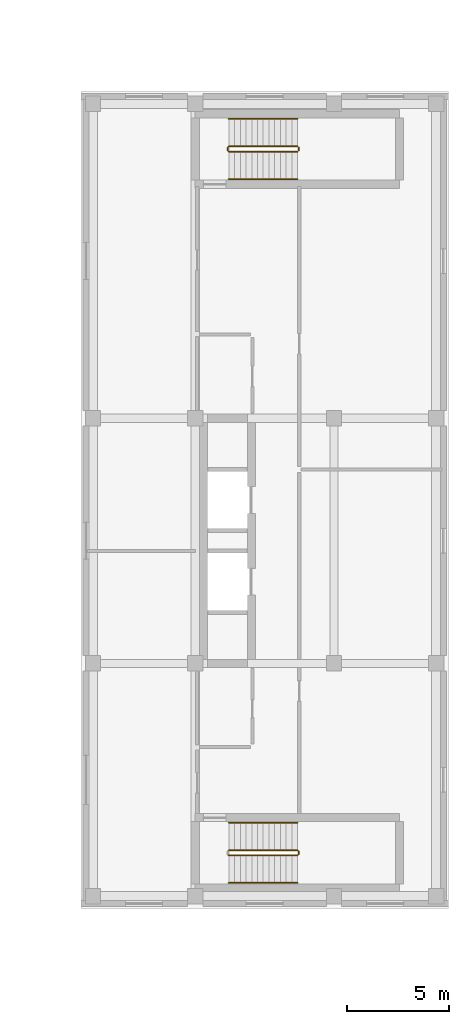
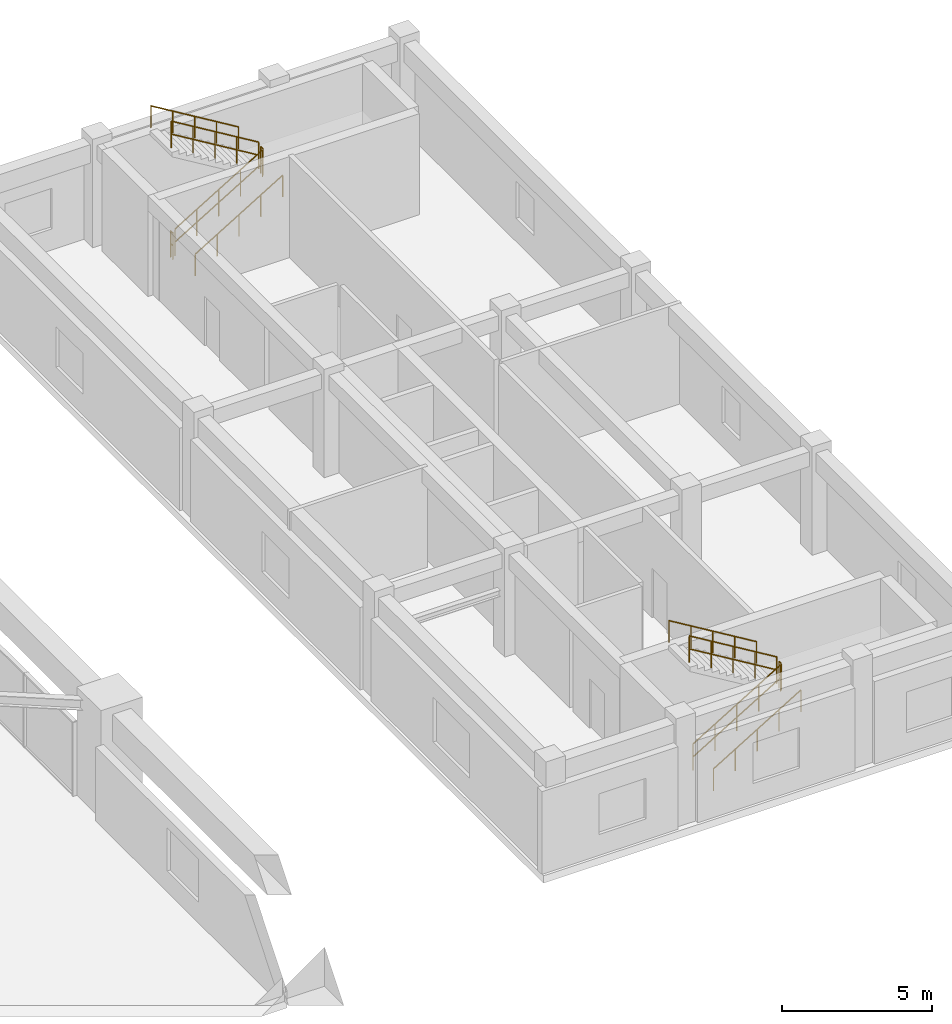
# One storey, part 22 of 22: 11 railings.
"""IFC4 building model written with IfcOpenShell, lengths in metres."""

from ifc_helpers import new_model, si_unit, direction, frame, origin, origin_2d, place, context, subcontext, project, spatial, circle, extrude, material, type_object, element, save


model = new_model("IFC4")

# Units and contexts
model_context = context("Model", 3, precision=1e-05, world=origin(), true_north=direction((0.0, 1.0)))
body_context = subcontext(model_context, "Body", "Model", "MODEL_VIEW")
ifc_project = project(units=[si_unit("LENGTHUNIT", "METRE"), si_unit("AREAUNIT", "SQUARE_METRE"), si_unit("VOLUMEUNIT", "CUBIC_METRE"), si_unit("PLANEANGLEUNIT", "RADIAN"), si_unit("MASSUNIT", "GRAM", prefix="KILO")], contexts=[model_context])

# Site, building, storey
site_placement = place(None, origin())
site = spatial("IfcSite", under=ifc_project, at=site_placement, CompositionType="ELEMENT")
building_placement = place(site_placement, origin())
building = spatial("IfcBuilding", under=site, at=building_placement, Name="Veraguas Prism Commons", CompositionType="ELEMENT")
storey_placement = place(building_placement, frame((0.0, 0.0, 5.199951171875)))
storey = spatial("IfcBuildingStorey", under=building, at=storey_placement, Name="L01", CompositionType="ELEMENT", Elevation=5.199951171875)

# Railings
ifc_material = material(Name="Stainless steel AISI 316", Category="steel")
railing_type_1 = type_object("IfcRailingType", Name="Stair and Ramp Stainless Handrail 900", PredefinedType="HANDRAIL", material=ifc_material)
railing_1_placement = place(storey_placement, frame((64.25, 5.25, 0.169189453125)))
element("IfcRailing", 1, at=railing_1_placement, inside=storey, type_object=railing_type_1, Name="Stair Handrail ST-H1 L01-1", PredefinedType="HANDRAIL", context=body_context, shape_type="SweptSolid", body=[
    extrude(circle(Radius=0.02392578125, at=origin_2d()), frame((0.0, 0.0, 0.8759765625), z_axis=(0.855836976705, 0.0, 0.517245656632), x_axis=(0.0, 1.0, 0.0)), (0.0, 0.0, 1.0), 3.926025390625),
    extrude(circle(Radius=0.02099609375, at=origin_2d()), origin(), (0.0, 0.0, 1.0), 0.851806640625),
    extrude(circle(Radius=0.02099609375, at=origin_2d()), frame((0.840087890625, 0.0, 0.5078125)), (0.0, 0.0, 1.0), 0.851806640625),
    extrude(circle(Radius=0.02099609375, at=origin_2d()), frame((1.68017578125, 0.0, 1.015380859375)), (0.0, 0.0, 1.0), 0.851806640625),
    extrude(circle(Radius=0.02099609375, at=origin_2d()), frame((2.52001953125, 0.0, 1.52294921875)), (0.0, 0.0, 1.0), 0.851806640625),
    extrude(circle(Radius=0.02099609375, at=origin_2d()), frame((3.360107421875, 0.0, 2.03076171875)), (0.0, 0.0, 1.0), 0.851806640625),
])
railing_2_placement = place(storey_placement, frame((67.610107421875, 8.199951171875, 2.369384765625)))
element("IfcRailing", 2, at=railing_2_placement, inside=storey, type_object=railing_type_1, Name="Stair Handrail ST-H1 L01-2", PredefinedType="HANDRAIL", context=body_context, shape_type="SweptSolid", body=[
    extrude(circle(Radius=0.02392578125, at=origin_2d()), frame((0.0, 0.0, 0.8759765625), z_axis=(-0.855836976705, 0.0, 0.517245656632), x_axis=(0.0, -1.0, 0.0)), (0.0, 0.0, 1.0), 3.926025390625),
    extrude(circle(Radius=0.02099609375, at=origin_2d()), origin(), (0.0, 0.0, 1.0), 0.851806640625),
    extrude(circle(Radius=0.02099609375, at=origin_2d()), frame((-0.840087890625, 0.0, 0.5078125)), (0.0, 0.0, 1.0), 0.851806640625),
    extrude(circle(Radius=0.02099609375, at=origin_2d()), frame((-1.68017578125, 0.0, 1.015380859375)), (0.0, 0.0, 1.0), 0.851806640625),
    extrude(circle(Radius=0.02099609375, at=origin_2d()), frame((-2.52001953125, 0.0, 1.52294921875)), (0.0, 0.0, 1.0), 0.851806640625),
    extrude(circle(Radius=0.02099609375, at=origin_2d()), frame((-3.360107421875, 0.0, 2.03076171875)), (0.0, 0.0, 1.0), 0.851806640625),
])
railing_3_placement = place(storey_placement, frame((64.25, 39.7099609375, 0.169189453125)))
element("IfcRailing", 3, at=railing_3_placement, inside=storey, type_object=railing_type_1, Name="Stair Handrail ST-H2 L01-1", PredefinedType="HANDRAIL", context=body_context, shape_type="SweptSolid", body=[
    extrude(circle(Radius=0.02392578125, at=origin_2d()), frame((0.0, 0.0, 0.8759765625), z_axis=(0.855836976705, 0.0, 0.517245656632), x_axis=(0.0, 1.0, 0.0)), (0.0, 0.0, 1.0), 3.926025390625),
    extrude(circle(Radius=0.02099609375, at=origin_2d()), origin(), (0.0, 0.0, 1.0), 0.851806640625),
    extrude(circle(Radius=0.02099609375, at=origin_2d()), frame((0.840087890625, 0.0, 0.5078125)), (0.0, 0.0, 1.0), 0.851806640625),
    extrude(circle(Radius=0.02099609375, at=origin_2d()), frame((1.68017578125, 0.0, 1.015380859375)), (0.0, 0.0, 1.0), 0.851806640625),
    extrude(circle(Radius=0.02099609375, at=origin_2d()), frame((2.52001953125, 0.0, 1.52294921875)), (0.0, 0.0, 1.0), 0.851806640625),
    extrude(circle(Radius=0.02099609375, at=origin_2d()), frame((3.360107421875, 0.0, 2.03076171875)), (0.0, 0.0, 1.0), 0.851806640625),
])
railing_4_placement = place(storey_placement, frame((67.610107421875, 42.659912109375, 2.369384765625)))
element("IfcRailing", 4, at=railing_4_placement, inside=storey, type_object=railing_type_1, Name="Stair Handrail ST-H2 L01-2", PredefinedType="HANDRAIL", context=body_context, shape_type="SweptSolid", body=[
    extrude(circle(Radius=0.02392578125, at=origin_2d()), frame((0.0, 0.0, 0.8759765625), z_axis=(-0.855836976705, 0.0, 0.517245656632), x_axis=(0.0, -1.0, 0.0)), (0.0, 0.0, 1.0), 3.926025390625),
    extrude(circle(Radius=0.02099609375, at=origin_2d()), origin(), (0.0, 0.0, 1.0), 0.851806640625),
    extrude(circle(Radius=0.02099609375, at=origin_2d()), frame((-0.840087890625, 0.0, 0.5078125)), (0.0, 0.0, 1.0), 0.851806640625),
    extrude(circle(Radius=0.02099609375, at=origin_2d()), frame((-1.68017578125, 0.0, 1.015380859375)), (0.0, 0.0, 1.0), 0.851806640625),
    extrude(circle(Radius=0.02099609375, at=origin_2d()), frame((-2.52001953125, 0.0, 1.52294921875)), (0.0, 0.0, 1.0), 0.851806640625),
    extrude(circle(Radius=0.02099609375, at=origin_2d()), frame((-3.360107421875, 0.0, 2.03076171875)), (0.0, 0.0, 1.0), 0.851806640625),
])
railing_type_2 = type_object("IfcRailingType", Name="Stairwell Safety Guardrail 1100", PredefinedType="GUARDRAIL", material=ifc_material)
railing_5_placement = place(storey_placement, frame((64.25, 6.60009765625, 0.169189453125)))
element("IfcRailing", 5, at=railing_5_placement, inside=storey, type_object=railing_type_2, Name="Stair Guard ST-H1 L01-1", PredefinedType="GUARDRAIL", context=body_context, shape_type="SweptSolid", body=[
    extrude(circle(Radius=0.02392578125, at=origin_2d()), frame((0.0, 0.0, 1.076171875), z_axis=(0.855836976705, 0.0, 0.517245656632), x_axis=(0.0, 1.0, 0.0)), (0.0, 0.0, 1.0), 3.926025390625),
    extrude(circle(Radius=0.02392578125, at=origin_2d()), frame((0.0, 0.0, 0.550048828125), z_axis=(0.855836976705, 0.0, 0.517245656632), x_axis=(0.0, 1.0, 0.0)), (0.0, 0.0, 1.0), 3.926025390625),
    extrude(circle(Radius=0.02099609375, at=origin_2d()), origin(), (0.0, 0.0, 1.0), 1.052001953125),
    extrude(circle(Radius=0.02099609375, at=origin_2d()), frame((0.840087890625, 0.0, 0.5078125)), (0.0, 0.0, 1.0), 1.052001953125),
    extrude(circle(Radius=0.02099609375, at=origin_2d()), frame((1.68017578125, 0.0, 1.015380859375)), (0.0, 0.0, 1.0), 1.052001953125),
    extrude(circle(Radius=0.02099609375, at=origin_2d()), frame((2.52001953125, 0.0, 1.52294921875)), (0.0, 0.0, 1.0), 1.052001953125),
    extrude(circle(Radius=0.02099609375, at=origin_2d()), frame((3.360107421875, 0.0, 2.03076171875)), (0.0, 0.0, 1.0), 1.052001953125),
])
railing_6_placement = place(storey_placement, frame((67.659912109375, 6.64990234375, 2.199951171875)))
element("IfcRailing", 6, at=railing_6_placement, inside=storey, type_object=railing_type_2, Name="Stair Guard ST-H1 L01-2", PredefinedType="GUARDRAIL", context=body_context, shape_type="SweptSolid", body=[
    extrude(circle(Radius=0.02392578125, at=origin_2d()), frame((0.0, 0.0, 1.076171875), z_axis=(0.0, 1.0, 0.0), x_axis=(-1.0, 0.0, 0.0)), (0.0, 0.0, 1.0), 0.150146484375),
    extrude(circle(Radius=0.02392578125, at=origin_2d()), frame((0.0, 0.0, 0.550048828125), z_axis=(0.0, 1.0, 0.0), x_axis=(-1.0, 0.0, 0.0)), (0.0, 0.0, 1.0), 0.150146484375),
    extrude(circle(Radius=0.02099609375, at=origin_2d()), origin(), (0.0, 0.0, 1.0), 1.052001953125),
    extrude(circle(Radius=0.02099609375, at=origin_2d()), frame((0.0, 0.150146484375, 0.0)), (0.0, 0.0, 1.0), 1.052001953125),
])
railing_7_placement = place(storey_placement, frame((67.610107421875, 6.85009765625, 2.369384765625)))
element("IfcRailing", 7, at=railing_7_placement, inside=storey, type_object=railing_type_2, Name="Stair Guard ST-H1 L01-3", PredefinedType="GUARDRAIL", context=body_context, shape_type="SweptSolid", body=[
    extrude(circle(Radius=0.02392578125, at=origin_2d()), frame((0.0, 0.0, 1.076171875), z_axis=(-0.855836976705, 0.0, 0.517245656632), x_axis=(0.0, -1.0, 0.0)), (0.0, 0.0, 1.0), 3.926025390625),
    extrude(circle(Radius=0.02392578125, at=origin_2d()), frame((0.0, 0.0, 0.550048828125), z_axis=(-0.855836976705, 0.0, 0.517245656632), x_axis=(0.0, -1.0, 0.0)), (0.0, 0.0, 1.0), 3.926025390625),
    extrude(circle(Radius=0.02099609375, at=origin_2d()), origin(), (0.0, 0.0, 1.0), 1.052001953125),
    extrude(circle(Radius=0.02099609375, at=origin_2d()), frame((-0.840087890625, 0.0, 0.5078125)), (0.0, 0.0, 1.0), 1.052001953125),
    extrude(circle(Radius=0.02099609375, at=origin_2d()), frame((-1.68017578125, 0.0, 1.015380859375)), (0.0, 0.0, 1.0), 1.052001953125),
    extrude(circle(Radius=0.02099609375, at=origin_2d()), frame((-2.52001953125, 0.0, 1.52294921875)), (0.0, 0.0, 1.0), 1.052001953125),
    extrude(circle(Radius=0.02099609375, at=origin_2d()), frame((-3.360107421875, 0.0, 2.03076171875)), (0.0, 0.0, 1.0), 1.052001953125),
])
railing_8_placement = place(storey_placement, frame((64.25, 41.06005859375, 0.169189453125)))
element("IfcRailing", 8, at=railing_8_placement, inside=storey, type_object=railing_type_2, Name="Stair Guard ST-H2 L01-1", PredefinedType="GUARDRAIL", context=body_context, shape_type="SweptSolid", body=[
    extrude(circle(Radius=0.02392578125, at=origin_2d()), frame((0.0, 0.0, 1.076171875), z_axis=(0.855836976705, 0.0, 0.517245656632), x_axis=(0.0, 1.0, 0.0)), (0.0, 0.0, 1.0), 3.926025390625),
    extrude(circle(Radius=0.02392578125, at=origin_2d()), frame((0.0, 0.0, 0.550048828125), z_axis=(0.855836976705, 0.0, 0.517245656632), x_axis=(0.0, 1.0, 0.0)), (0.0, 0.0, 1.0), 3.926025390625),
    extrude(circle(Radius=0.02099609375, at=origin_2d()), origin(), (0.0, 0.0, 1.0), 1.052001953125),
    extrude(circle(Radius=0.02099609375, at=origin_2d()), frame((0.840087890625, 0.0, 0.5078125)), (0.0, 0.0, 1.0), 1.052001953125),
    extrude(circle(Radius=0.02099609375, at=origin_2d()), frame((1.68017578125, 0.0, 1.015380859375)), (0.0, 0.0, 1.0), 1.052001953125),
    extrude(circle(Radius=0.02099609375, at=origin_2d()), frame((2.52001953125, 0.0, 1.52294921875)), (0.0, 0.0, 1.0), 1.052001953125),
    extrude(circle(Radius=0.02099609375, at=origin_2d()), frame((3.360107421875, 0.0, 2.03076171875)), (0.0, 0.0, 1.0), 1.052001953125),
])
railing_9_placement = place(storey_placement, frame((67.659912109375, 41.110107421875, 2.199951171875)))
element("IfcRailing", 9, at=railing_9_placement, inside=storey, type_object=railing_type_2, Name="Stair Guard ST-H2 L01-2", PredefinedType="GUARDRAIL", context=body_context, shape_type="SweptSolid", body=[
    extrude(circle(Radius=0.02392578125, at=origin_2d()), frame((0.0, 0.0, 1.076171875), z_axis=(0.0, 1.0, 0.0), x_axis=(-1.0, 0.0, 0.0)), (0.0, 0.0, 1.0), 0.14990234375),
    extrude(circle(Radius=0.02392578125, at=origin_2d()), frame((0.0, 0.0, 0.550048828125), z_axis=(0.0, 1.0, 0.0), x_axis=(-1.0, 0.0, 0.0)), (0.0, 0.0, 1.0), 0.14990234375),
    extrude(circle(Radius=0.02099609375, at=origin_2d()), origin(), (0.0, 0.0, 1.0), 1.052001953125),
    extrude(circle(Radius=0.02099609375, at=origin_2d()), frame((0.0, 0.14990234375, 0.0)), (0.0, 0.0, 1.0), 1.052001953125),
])
railing_10_placement = place(storey_placement, frame((67.610107421875, 41.31005859375, 2.369384765625)))
element("IfcRailing", 10, at=railing_10_placement, inside=storey, type_object=railing_type_2, Name="Stair Guard ST-H2 L01-3", PredefinedType="GUARDRAIL", context=body_context, shape_type="SweptSolid", body=[
    extrude(circle(Radius=0.02392578125, at=origin_2d()), frame((0.0, 0.0, 1.076171875), z_axis=(-0.855836976705, 0.0, 0.517245656632), x_axis=(0.0, -1.0, 0.0)), (0.0, 0.0, 1.0), 3.926025390625),
    extrude(circle(Radius=0.02392578125, at=origin_2d()), frame((0.0, 0.0, 0.550048828125), z_axis=(-0.855836976705, 0.0, 0.517245656632), x_axis=(0.0, -1.0, 0.0)), (0.0, 0.0, 1.0), 3.926025390625),
    extrude(circle(Radius=0.02099609375, at=origin_2d()), origin(), (0.0, 0.0, 1.0), 1.052001953125),
    extrude(circle(Radius=0.02099609375, at=origin_2d()), frame((-0.840087890625, 0.0, 0.5078125)), (0.0, 0.0, 1.0), 1.052001953125),
    extrude(circle(Radius=0.02099609375, at=origin_2d()), frame((-1.68017578125, 0.0, 1.015380859375)), (0.0, 0.0, 1.0), 1.052001953125),
    extrude(circle(Radius=0.02099609375, at=origin_2d()), frame((-2.52001953125, 0.0, 1.52294921875)), (0.0, 0.0, 1.0), 1.052001953125),
    extrude(circle(Radius=0.02099609375, at=origin_2d()), frame((-3.360107421875, 0.0, 2.03076171875)), (0.0, 0.0, 1.0), 1.052001953125),
])
railing_11_placement = place(storey_placement, frame((64.199951171875, 41.110107421875, 0.0)))
element("IfcRailing", 11, at=railing_11_placement, inside=storey, type_object=railing_type_2, Name="Stair Guard ST-H2 L01-4", PredefinedType="GUARDRAIL", context=body_context, shape_type="SweptSolid", body=[
    extrude(circle(Radius=0.02392578125, at=origin_2d()), frame((0.0, 0.0, 1.076171875), z_axis=(0.0, 1.0, 0.0), x_axis=(-1.0, 0.0, 0.0)), (0.0, 0.0, 1.0), 0.14990234375),
    extrude(circle(Radius=0.02392578125, at=origin_2d()), frame((0.0, 0.0, 0.550048828125), z_axis=(0.0, 1.0, 0.0), x_axis=(-1.0, 0.0, 0.0)), (0.0, 0.0, 1.0), 0.14990234375),
    extrude(circle(Radius=0.02099609375, at=origin_2d()), origin(), (0.0, 0.0, 1.0), 1.052001953125),
    extrude(circle(Radius=0.02099609375, at=origin_2d()), frame((0.0, 0.14990234375, 0.0)), (0.0, 0.0, 1.0), 1.052001953125),
])

save(model, "model.ifc")
